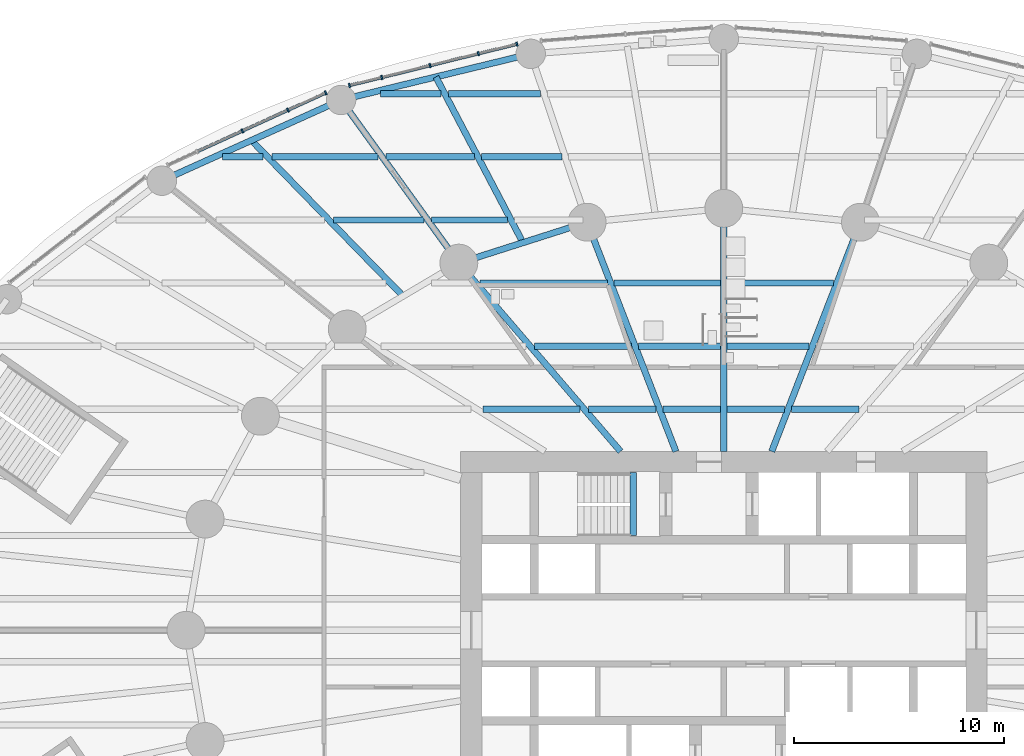
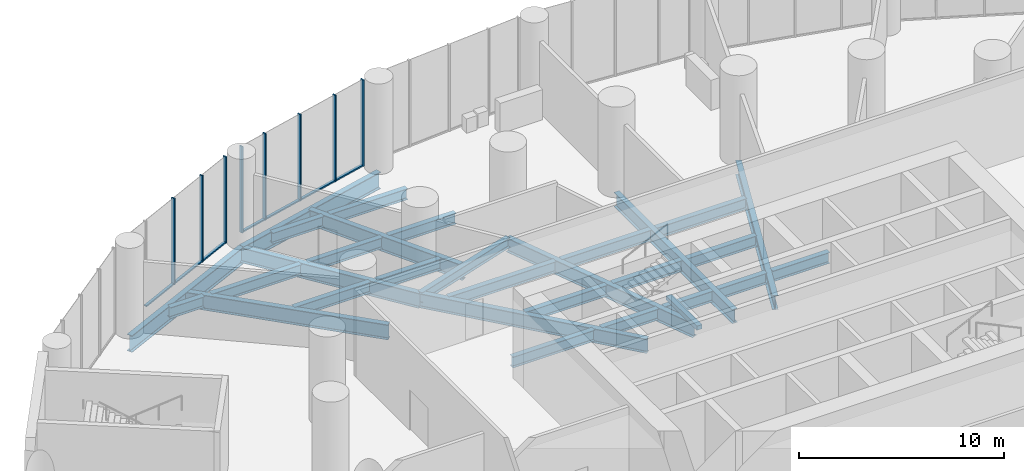
# One storey, part 8 of 23: 30 beams, 15 members, 2 elements without a shape of their own.
"""IFC4 building model written with IfcOpenShell, lengths in metres."""

from ifc_helpers import new_model, si_unit, direction, frame, origin, origin_2d, place, context, subcontext, project, spatial, rectangle, i_section, extrude, material, material_profile, profile_set, type_object, element, aggregate, save


model = new_model("IFC4")

# Units and contexts
model_context = context("Model", 3, precision=1e-05, world=origin(), true_north=direction((0.0, 1.0)))
body_context = subcontext(model_context, "Body", "Model", "MODEL_VIEW")
ifc_project = project(units=[si_unit("LENGTHUNIT", "METRE"), si_unit("AREAUNIT", "SQUARE_METRE"), si_unit("VOLUMEUNIT", "CUBIC_METRE"), si_unit("PLANEANGLEUNIT", "RADIAN"), si_unit("MASSUNIT", "GRAM", prefix="KILO")], contexts=[model_context])

# Site, building, storey
site_placement = place(None, origin())
site = spatial("IfcSite", under=ifc_project, at=site_placement, CompositionType="ELEMENT")
building_placement = place(site_placement, origin())
building = spatial("IfcBuilding", under=site, at=building_placement, Name="Hankou Lantern Tower", CompositionType="ELEMENT")
storey_placement = place(building_placement, frame((0.0, 0.0, 19.199951171875)))
storey = spatial("IfcBuildingStorey", under=building, at=storey_placement, Name="L03", CompositionType="ELEMENT", Elevation=19.199951171875)

# Beams
ifc_material_1 = material(Name="Steel Q355B", Category="steel")
ifc_material_profile_1 = material_profile(ifc_material_1, i_section(OverallWidth=0.300048828125, OverallDepth=0.587890625, WebThickness=0.011962890625, FlangeThickness=0.02001953125, FilletRadius=0.01806640625, at=origin_2d()), Name="HM588x300x12x20")
ifc_profile_set_1 = profile_set([ifc_material_profile_1], Name="Steel Q355B")
beam_type_1 = type_object("IfcBeamType", Name="EB16 RING BEAM HM588x300x12x20", PredefinedType="SPANDREL", material=ifc_profile_set_1)
beam_1_placement = place(storey_placement, frame((-6.494873046875, 19.391357421875, -0.5439453125), z_axis=(-0.952690479428, -0.303942182671, 0.0), x_axis=(0.303942182671, -0.952690479428, 0.0)))
element("IfcBeam", 1, at=beam_1_placement, inside=storey, type_object=beam_type_1, Name="Ring beam R08-R09 L03", PredefinedType="SPANDREL", context=body_context, shape_type="SweptSolid", body=[
    extrude(i_section(OverallWidth=0.300048828125, OverallDepth=0.587890625, WebThickness=0.011962890625, FlangeThickness=0.02001953125, FilletRadius=0.01806640625, at=origin_2d()), origin(), (0.0, 0.0, 1.0), 6.398681640625),
])
ifc_material_2 = material(Name="Concrete C40", Category="concrete")
ifc_material_profile_2 = material_profile(ifc_material_2, rectangle(XDim=0.300048828125, YDim=0.25, at=origin_2d()), Name="RC 300x250")
ifc_profile_set_2 = profile_set([ifc_material_profile_2], Name="Concrete C40")
beam_type_2 = type_object("IfcBeamType", Name="LB1 STAIR LANDING BEAM RC 300x250", PredefinedType="BEAM", material=ifc_profile_set_2)
beam_2_placement = place(storey_placement, frame((-4.300048828125, 4.5, 2.574951171875), z_axis=(0.0, 1.0, 0.0), x_axis=(-1.0, 0.0, 0.0)))
element("IfcBeam", 2, at=beam_2_placement, inside=storey, type_object=beam_type_2, Name="Stair STA landing beam L03", PredefinedType="BEAM", context=body_context, shape_type="SweptSolid", body=[
    extrude(rectangle(XDim=0.300048828125, YDim=0.25, at=origin_2d()), origin(), (0.0, 0.0, 1.0), 3.0),
])

# Curtain wall, members
ifc_material_3 = material(Name="Glass, dark grey tinted laminated", Category="glass")
curtain_wall_type = type_object("IfcCurtainWallType", Name="CWP PODIUM CURTAIN WALL", PredefinedType="USERDEFINED", material=ifc_material_3)
curtain_wall_1_placement = place(storey_placement, origin())
curtain_wall_1 = element("IfcCurtainWall", 3, at=curtain_wall_1_placement, inside=storey, type_object=curtain_wall_type, Name="CWP L03 PC06", ObjectType="PODIUM GLAZING", PredefinedType="USERDEFINED")
ifc_material_4 = material(Name="Aluminium, black anodised", Category="aluminium")
ifc_material_profile_3 = material_profile(ifc_material_4, rectangle(XDim=0.080078125, YDim=0.199951171875, at=origin_2d()), Name="MU2 80X200")
ifc_profile_set_3 = profile_set([ifc_material_profile_3], Name="Aluminium, black anodised")
member_type_1 = type_object("IfcMemberType", Name="MU2 PODIUM MULLION 80X200", PredefinedType="MULLION", material=ifc_profile_set_3)
member_1_placement = place(storey_placement, frame((-9.83056640625, 27.852294921875, 0.0), z_axis=(0.0, 0.0, 1.0), x_axis=(-0.970960955091, -0.239238006364, 0.0)))
member_1 = element("IfcMember", 4, at=member_1_placement, type_object=member_type_1, Name="CWP mullion 1", PredefinedType="MULLION", context=body_context, shape_type="SweptSolid", body=[
    extrude(rectangle(XDim=0.080078125, YDim=0.199951171875, at=origin_2d()), origin(), (0.0, 0.0, 1.0), 5.150146484375),
])
member_2_placement = place(storey_placement, frame((-11.662841796875, 27.40087890625, 0.0), z_axis=(0.0, 0.0, 1.0), x_axis=(-0.970960955091, -0.239238006364, 0.0)))
member_2 = element("IfcMember", 5, at=member_2_placement, type_object=member_type_1, Name="CWP mullion 2", PredefinedType="MULLION", context=body_context, shape_type="SweptSolid", body=[
    extrude(rectangle(XDim=0.080078125, YDim=0.199951171875, at=origin_2d()), origin(), (0.0, 0.0, 1.0), 5.150146484375),
])
member_3_placement = place(storey_placement, frame((-13.95849609375, 26.835205078125, 0.0), z_axis=(0.0, 0.0, 1.0), x_axis=(-0.970960955091, -0.239238006364, 0.0)))
member_3 = element("IfcMember", 6, at=member_3_placement, type_object=member_type_1, Name="CWP mullion 3", PredefinedType="MULLION", context=body_context, shape_type="SweptSolid", body=[
    extrude(rectangle(XDim=0.080078125, YDim=0.199951171875, at=origin_2d()), origin(), (0.0, 0.0, 1.0), 5.150146484375),
])
member_4_placement = place(storey_placement, frame((-16.25439453125, 26.26953125, 0.0), z_axis=(0.0, 0.0, 1.0), x_axis=(-0.970960955091, -0.239238006364, 0.0)))
member_4 = element("IfcMember", 7, at=member_4_placement, type_object=member_type_1, Name="CWP mullion 4", PredefinedType="MULLION", context=body_context, shape_type="SweptSolid", body=[
    extrude(rectangle(XDim=0.080078125, YDim=0.199951171875, at=origin_2d()), origin(), (0.0, 0.0, 1.0), 5.150146484375),
])
member_5_placement = place(storey_placement, frame((-17.785888671875, 25.892333984375, 0.0), z_axis=(0.0, 0.0, 1.0), x_axis=(-0.970960955091, -0.239238006364, 0.0)))
member_5 = element("IfcMember", 8, at=member_5_placement, type_object=member_type_1, Name="CWP mullion 5", PredefinedType="MULLION", context=body_context, shape_type="SweptSolid", body=[
    extrude(rectangle(XDim=0.080078125, YDim=0.199951171875, at=origin_2d()), origin(), (0.0, 0.0, 1.0), 5.150146484375),
])

curtain_wall_2_placement = place(storey_placement, origin())
curtain_wall_2 = element("IfcCurtainWall", 9, at=curtain_wall_2_placement, inside=storey, type_object=curtain_wall_type, Name="CWP L03 PC07", ObjectType="PODIUM GLAZING", PredefinedType="USERDEFINED")
member_6_placement = place(storey_placement, frame((-18.913818359375, 25.537841796875, 0.0), z_axis=(0.0, 0.0, 1.0), x_axis=(-0.909669790944, -0.41533224224, 0.0)))
member_6 = element("IfcMember", 10, at=member_6_placement, type_object=member_type_1, Name="CWP mullion 1", PredefinedType="MULLION", context=body_context, shape_type="SweptSolid", body=[
    extrude(rectangle(XDim=0.080078125, YDim=0.199951171875, at=origin_2d()), origin(), (0.0, 0.0, 1.0), 5.150146484375),
])
member_7_placement = place(storey_placement, frame((-20.711669921875, 24.717041015625, 0.0), z_axis=(0.0, 0.0, 1.0), x_axis=(-0.909669790944, -0.41533224224, 0.0)))
member_7 = element("IfcMember", 11, at=member_7_placement, type_object=member_type_1, Name="CWP mullion 2", PredefinedType="MULLION", context=body_context, shape_type="SweptSolid", body=[
    extrude(rectangle(XDim=0.080078125, YDim=0.199951171875, at=origin_2d()), origin(), (0.0, 0.0, 1.0), 5.150146484375),
])
member_8_placement = place(storey_placement, frame((-22.873046875, 23.730224609375, 0.0), z_axis=(0.0, 0.0, 1.0), x_axis=(-0.909669790944, -0.41533224224, 0.0)))
member_8 = element("IfcMember", 12, at=member_8_placement, type_object=member_type_1, Name="CWP mullion 3", PredefinedType="MULLION", context=body_context, shape_type="SweptSolid", body=[
    extrude(rectangle(XDim=0.080078125, YDim=0.199951171875, at=origin_2d()), origin(), (0.0, 0.0, 1.0), 5.150146484375),
])

# Beams
ifc_material_5 = material(Name="Steel Q355B", Category="steel")
ifc_material_profile_4 = material_profile(ifc_material_5, i_section(OverallWidth=0.300048828125, OverallDepth=0.89990234375, WebThickness=0.01611328125, FlangeThickness=0.028076171875, FilletRadius=0.01806640625, at=origin_2d()), Name="HN900x300x16x28")
ifc_profile_set_4 = profile_set([ifc_material_profile_4], Name="Steel Q355B")
beam_type_3 = type_object("IfcBeamType", Name="PB13 PODIUM RADIAL BEAM HN900x300x16x28", PredefinedType="BEAM", material=ifc_profile_set_4)
beam_3_placement = place(storey_placement, frame((-12.5908203125, 17.446533203125, -0.699951171875), z_axis=(-0.585207097055, 0.810883871807, 0.0), x_axis=(-0.810883871807, -0.585207097055, 0.0)))
element("IfcBeam", 13, at=beam_3_placement, inside=storey, type_object=beam_type_3, Name="Podium radial beam R09 L03", PredefinedType="BEAM", context=body_context, shape_type="SweptSolid", body=[
    extrude(i_section(OverallWidth=0.300048828125, OverallDepth=0.89990234375, WebThickness=0.01611328125, FlangeThickness=0.028076171875, FilletRadius=0.01806640625, at=origin_2d()), origin(), (0.0, 0.0, 1.0), 9.56103515625),
])
ifc_material_6 = material(Name="Steel Q355B", Category="steel")
ifc_material_profile_5 = material_profile(ifc_material_6, i_section(OverallWidth=0.300048828125, OverallDepth=1.0, WebThickness=0.01904296875, FlangeThickness=0.035888671875, FilletRadius=0.01806640625, at=origin_2d()), Name="HN1000x300x19x36")
ifc_profile_set_5 = profile_set([ifc_material_profile_5], Name="Steel Q355B")
beam_type_4 = type_object("IfcBeamType", Name="PR22 PODIUM RING BEAM HN1000x300x19x36", PredefinedType="BEAM", material=ifc_profile_set_5)
beam_4_placement = place(storey_placement, frame((-9.17431640625, 27.39111328125, -0.75), z_axis=(-0.971677242441, -0.23631194748, 0.0), x_axis=(0.23631194748, -0.971677242441, 0.0)))
element("IfcBeam", 14, at=beam_4_placement, inside=storey, type_object=beam_type_4, Name="Podium ring beam R08-R09 L03", PredefinedType="BEAM", context=body_context, shape_type="SweptSolid", body=[
    extrude(i_section(OverallWidth=0.300048828125, OverallDepth=1.0, WebThickness=0.01904296875, FlangeThickness=0.035888671875, FilletRadius=0.01806640625, at=origin_2d()), origin(), (0.0, 0.0, 1.0), 9.2744140625),
])
beam_5_placement = place(storey_placement, frame((-18.18603515625, 25.199462890625, -0.75), z_axis=(-0.911695429723, -0.410866697874, 0.0), x_axis=(0.410866697874, -0.911695429723, 0.0)))
element("IfcBeam", 15, at=beam_5_placement, inside=storey, type_object=beam_type_4, Name="Podium ring beam R09-R10 L03", PredefinedType="BEAM", context=body_context, shape_type="SweptSolid", body=[
    extrude(i_section(OverallWidth=0.300048828125, OverallDepth=1.0, WebThickness=0.01904296875, FlangeThickness=0.035888671875, FilletRadius=0.01806640625, at=origin_2d()), origin(), (0.0, 0.0, 1.0), 9.341064453125),
])
ifc_material_7 = material(Name="Steel Q355B", Category="steel")
ifc_material_profile_6 = material_profile(ifc_material_7, i_section(OverallWidth=0.300048828125, OverallDepth=0.89990234375, WebThickness=0.01611328125, FlangeThickness=0.028076171875, FilletRadius=0.01806640625, at=origin_2d()), Name="HN900x300x16x28")
ifc_profile_set_6 = profile_set([ifc_material_profile_6], Name="Steel Q355B")
beam_type_5 = type_object("IfcBeamType", Name="PS13 PODIUM SECONDARY BEAM HN900x300x16x28", PredefinedType="JOIST", material=ifc_profile_set_6)
beam_6_placement = place(storey_placement, frame((-9.54296875, 18.4189453125, -0.699951171875), z_axis=(-0.465026961303, 0.88529651827, 0.0), x_axis=(-0.88529651827, -0.465026961303, 0.0)))
element("IfcBeam", 16, at=beam_6_placement, inside=storey, type_object=beam_type_5, Name="Podium secondary beam bay R08 L03", PredefinedType="JOIST", context=body_context, shape_type="SweptSolid", body=[
    extrude(i_section(OverallWidth=0.300048828125, OverallDepth=0.89990234375, WebThickness=0.01611328125, FlangeThickness=0.028076171875, FilletRadius=0.01806640625, at=origin_2d()), origin(), (0.0, 0.0, 1.0), 8.896728515625),
])
beam_7_placement = place(storey_placement, frame((-15.2412109375, 15.8798828125, -0.699951171875), z_axis=(-0.697467529957, 0.716616385981, 0.0), x_axis=(-0.716616385981, -0.697467529957, 0.0)))
element("IfcBeam", 17, at=beam_7_placement, inside=storey, type_object=beam_type_5, Name="Podium secondary beam bay R09 L03", PredefinedType="JOIST", context=body_context, shape_type="SweptSolid", body=[
    extrude(i_section(OverallWidth=0.300048828125, OverallDepth=0.89990234375, WebThickness=0.01611328125, FlangeThickness=0.028076171875, FilletRadius=0.01806640625, at=origin_2d()), origin(), (0.0, 0.0, 1.0), 10.3271484375),
])
ifc_material_8 = material(Name="Steel Q355B", Category="steel")
ifc_material_profile_7 = material_profile(ifc_material_8, i_section(OverallWidth=0.300048828125, OverallDepth=0.85009765625, WebThickness=0.01611328125, FlangeThickness=0.027099609375, FilletRadius=0.01806640625, at=origin_2d()), Name="HN850x300x16x27")
ifc_profile_set_7 = profile_set([ifc_material_profile_7], Name="Steel Q355B")
beam_type_6 = type_object("IfcBeamType", Name="RB12 RADIAL BEAM HN850x300x16x27", PredefinedType="BEAM", material=ifc_profile_set_7)
beam_8_placement = place(storey_placement, frame((2.277587890625, 8.5, -0.675048828125), z_axis=(0.361089103374, 0.932531318201, 0.0), x_axis=(-0.932531318201, 0.361089103374, 0.0)))
element("IfcBeam", 18, at=beam_8_placement, inside=storey, type_object=beam_type_6, Name="Radial beam R06 L03", PredefinedType="BEAM", context=body_context, shape_type="SweptSolid", body=[
    extrude(i_section(OverallWidth=0.300048828125, OverallDepth=0.85009765625, WebThickness=0.01611328125, FlangeThickness=0.027099609375, FilletRadius=0.01806640625, at=origin_2d()), origin(), (0.0, 0.0, 1.0), 11.679443359375),
])
beam_9_placement = place(storey_placement, frame((0.0, 8.5, -0.675048828125), z_axis=(0.0, 1.0, 0.0), x_axis=(-1.0, 0.0, 0.0)))
element("IfcBeam", 19, at=beam_9_placement, inside=storey, type_object=beam_type_6, Name="Radial beam R07 L03", PredefinedType="BEAM", context=body_context, shape_type="SweptSolid", body=[
    extrude(i_section(OverallWidth=0.300048828125, OverallDepth=0.85009765625, WebThickness=0.01611328125, FlangeThickness=0.027099609375, FilletRadius=0.01806640625, at=origin_2d()), origin(), (0.0, 0.0, 1.0), 11.550048828125),
])
beam_10_placement = place(storey_placement, frame((-2.277587890625, 8.5, -0.675048828125), z_axis=(-0.361089103374, 0.932531318201, 0.0), x_axis=(-0.932531318201, -0.361089103374, 0.0)))
element("IfcBeam", 20, at=beam_10_placement, inside=storey, type_object=beam_type_6, Name="Radial beam R08 L03", PredefinedType="BEAM", context=body_context, shape_type="SweptSolid", body=[
    extrude(i_section(OverallWidth=0.300048828125, OverallDepth=0.85009765625, WebThickness=0.01611328125, FlangeThickness=0.027099609375, FilletRadius=0.01806640625, at=origin_2d()), origin(), (0.0, 0.0, 1.0), 11.679443359375),
])
beam_11_placement = place(storey_placement, frame((-4.907470703125, 8.5, -0.675048828125), z_axis=(-0.651519061225, 0.758632264579, 0.0), x_axis=(-0.758632264579, -0.651519061225, 0.0)))
element("IfcBeam", 21, at=beam_11_placement, inside=storey, type_object=beam_type_6, Name="Radial beam R09 L03", PredefinedType="BEAM", context=body_context, shape_type="SweptSolid", body=[
    extrude(i_section(OverallWidth=0.300048828125, OverallDepth=0.85009765625, WebThickness=0.01611328125, FlangeThickness=0.027099609375, FilletRadius=0.01806640625, at=origin_2d()), origin(), (0.0, 0.0, 1.0), 11.79296875),
])
ifc_material_9 = material(Name="Steel Q355B", Category="steel")
ifc_material_profile_8 = material_profile(ifc_material_9, i_section(OverallWidth=0.300048828125, OverallDepth=0.64990234375, WebThickness=0.010986328125, FlangeThickness=0.01708984375, FilletRadius=0.01806640625, at=origin_2d()), Name="HN650x300x11x17")
ifc_profile_set_8 = profile_set([ifc_material_profile_8], Name="Steel Q355B")
beam_type_7 = type_object("IfcBeamType", Name="SB8 SECONDARY BEAM HN650x300x11x17", PredefinedType="JOIST", material=ifc_profile_set_8)
beam_12_placement = place(storey_placement, frame((-11.446044921875, 10.5, -0.574951171875), z_axis=(1.0, 0.0, 0.0), x_axis=(0.0, 1.0, 0.0)))
element("IfcBeam", 22, at=beam_12_placement, inside=storey, type_object=beam_type_7, Name="Floor joist J103 L03", PredefinedType="JOIST", context=body_context, shape_type="SweptSolid", body=[
    extrude(i_section(OverallWidth=0.300048828125, OverallDepth=0.64990234375, WebThickness=0.010986328125, FlangeThickness=0.01708984375, FilletRadius=0.01806640625, at=origin_2d()), origin(), (0.0, 0.0, 1.0), 4.623291015625),
])
beam_13_placement = place(storey_placement, frame((-6.427490234375, 10.5, -0.574951171875), z_axis=(1.0, 0.0, 0.0), x_axis=(0.0, 1.0, 0.0)))
element("IfcBeam", 23, at=beam_13_placement, inside=storey, type_object=beam_type_7, Name="Floor joist J104 L03", PredefinedType="JOIST", context=body_context, shape_type="SweptSolid", body=[
    extrude(i_section(OverallWidth=0.300048828125, OverallDepth=0.64990234375, WebThickness=0.010986328125, FlangeThickness=0.01708984375, FilletRadius=0.01806640625, at=origin_2d()), origin(), (0.0, 0.0, 1.0), 3.214599609375),
])
for number, where, z_axis, x_axis, name in (
    (24, (-2.89111328125, 10.5, -0.574951171875), (1.0, 0.0, 0.0), (0.0, 1.0, 0.0), "Floor joist J105 L03"),
    (25, (0.14990234375, 10.5, -0.574951171875), (1.0, 0.0, 0.0), (0.0, 1.0, 0.0), "Floor joist J106 L03"),
):
    element("IfcBeam", number, at=place(storey_placement, frame(where, z_axis=z_axis, x_axis=x_axis)), inside=storey, type_object=beam_type_7, Name=name, PredefinedType="JOIST", context=body_context, shape_type="SweptSolid", body=[
        extrude(i_section(OverallWidth=0.300048828125, OverallDepth=0.64990234375, WebThickness=0.010986328125, FlangeThickness=0.01708984375, FilletRadius=0.01806640625, at=origin_2d()), origin(), (0.0, 0.0, 1.0), 2.7412109375),
    ])
beam_14_placement = place(storey_placement, frame((3.212890625, 10.5, -0.574951171875), z_axis=(1.0, 0.0, 0.0), x_axis=(0.0, 1.0, 0.0)))
element("IfcBeam", 26, at=beam_14_placement, inside=storey, type_object=beam_type_7, Name="Floor joist J107 L03", PredefinedType="JOIST", context=body_context, shape_type="SweptSolid", body=[
    extrude(i_section(OverallWidth=0.300048828125, OverallDepth=0.64990234375, WebThickness=0.010986328125, FlangeThickness=0.01708984375, FilletRadius=0.01806640625, at=origin_2d()), origin(), (0.0, 0.0, 1.0), 3.214599609375),
])
beam_15_placement = place(storey_placement, frame((-9.00390625, 13.5, -0.574951171875), z_axis=(1.0, 0.0, 0.0), x_axis=(0.0, 1.0, 0.0)))
element("IfcBeam", 27, at=beam_15_placement, inside=storey, type_object=beam_type_7, Name="Floor joist J116 L03", PredefinedType="JOIST", context=body_context, shape_type="SweptSolid", body=[
    extrude(i_section(OverallWidth=0.300048828125, OverallDepth=0.64990234375, WebThickness=0.010986328125, FlangeThickness=0.01708984375, FilletRadius=0.01806640625, at=origin_2d()), origin(), (0.0, 0.0, 1.0), 4.62939453125),
])
for number, where, z_axis, x_axis, name in (
    (28, (-4.052734375, 13.5, -0.574951171875), (1.0, 0.0, 0.0), (0.0, 1.0, 0.0), "Floor joist J117 L03"),
    (29, (0.14990234375, 13.5, -0.574951171875), (1.0, 0.0, 0.0), (0.0, 1.0, 0.0), "Floor joist J118 L03"),
):
    element("IfcBeam", number, at=place(storey_placement, frame(where, z_axis=z_axis, x_axis=x_axis)), inside=storey, type_object=beam_type_7, Name=name, PredefinedType="JOIST", context=body_context, shape_type="SweptSolid", body=[
        extrude(i_section(OverallWidth=0.300048828125, OverallDepth=0.64990234375, WebThickness=0.010986328125, FlangeThickness=0.01708984375, FilletRadius=0.01806640625, at=origin_2d()), origin(), (0.0, 0.0, 1.0), 3.90283203125),
    ])
beam_16_placement = place(storey_placement, frame((-11.580322265625, 16.5, -0.574951171875), z_axis=(1.0, 0.0, 0.0), x_axis=(0.0, 1.0, 0.0)))
element("IfcBeam", 30, at=beam_16_placement, inside=storey, type_object=beam_type_7, Name="Floor joist J129 L03", PredefinedType="JOIST", context=body_context, shape_type="SweptSolid", body=[
    extrude(i_section(OverallWidth=0.300048828125, OverallDepth=0.64990234375, WebThickness=0.010986328125, FlangeThickness=0.01708984375, FilletRadius=0.01806640625, at=origin_2d()), origin(), (0.0, 0.0, 1.0), 6.044189453125),
])
for number, where, z_axis, x_axis, name in (
    (31, (-5.21435546875, 16.5, -0.574951171875), (1.0, 0.0, 0.0), (0.0, 1.0, 0.0), "Floor joist J130 L03"),
    (32, (0.14990234375, 16.5, -0.574951171875), (1.0, 0.0, 0.0), (0.0, 1.0, 0.0), "Floor joist J131 L03"),
):
    element("IfcBeam", number, at=place(storey_placement, frame(where, z_axis=z_axis, x_axis=x_axis)), inside=storey, type_object=beam_type_7, Name=name, PredefinedType="JOIST", context=body_context, shape_type="SweptSolid", body=[
        extrude(i_section(OverallWidth=0.300048828125, OverallDepth=0.64990234375, WebThickness=0.010986328125, FlangeThickness=0.01708984375, FilletRadius=0.01806640625, at=origin_2d()), origin(), (0.0, 0.0, 1.0), 5.064453125),
    ])
beam_17_placement = place(storey_placement, frame((-18.55517578125, 19.5, -0.574951171875), z_axis=(1.0, 0.0, 0.0), x_axis=(0.0, 1.0, 0.0)))
element("IfcBeam", 33, at=beam_17_placement, inside=storey, type_object=beam_type_7, Name="Floor joist J139 L03", PredefinedType="JOIST", context=body_context, shape_type="SweptSolid", body=[
    extrude(i_section(OverallWidth=0.300048828125, OverallDepth=0.64990234375, WebThickness=0.010986328125, FlangeThickness=0.01708984375, FilletRadius=0.01806640625, at=origin_2d()), origin(), (0.0, 0.0, 1.0), 4.29736328125),
])
beam_18_placement = place(storey_placement, frame((-13.887939453125, 19.5, -0.574951171875), z_axis=(1.0, 0.0, 0.0), x_axis=(0.0, 1.0, 0.0)))
element("IfcBeam", 34, at=beam_18_placement, inside=storey, type_object=beam_type_7, Name="Floor joist J140 L03", PredefinedType="JOIST", context=body_context, shape_type="SweptSolid", body=[
    extrude(i_section(OverallWidth=0.300048828125, OverallDepth=0.64990234375, WebThickness=0.010986328125, FlangeThickness=0.01708984375, FilletRadius=0.01806640625, at=origin_2d()), origin(), (0.0, 0.0, 1.0), 3.607666015625),
])
beam_19_placement = place(storey_placement, frame((-23.81103515625, 22.5, -0.574951171875), z_axis=(1.0, 0.0, 0.0), x_axis=(0.0, 1.0, 0.0)))
element("IfcBeam", 35, at=beam_19_placement, inside=storey, type_object=beam_type_7, Name="Floor joist J149 L03", PredefinedType="JOIST", context=body_context, shape_type="SweptSolid", body=[
    extrude(i_section(OverallWidth=0.300048828125, OverallDepth=0.64990234375, WebThickness=0.010986328125, FlangeThickness=0.01708984375, FilletRadius=0.01806640625, at=origin_2d()), origin(), (0.0, 0.0, 1.0), 1.917236328125),
])
beam_20_placement = place(storey_placement, frame((-21.47509765625, 22.5, -0.574951171875), z_axis=(1.0, 0.0, 0.0), x_axis=(0.0, 1.0, 0.0)))
element("IfcBeam", 36, at=beam_20_placement, inside=storey, type_object=beam_type_7, Name="Floor joist J150 L03", PredefinedType="JOIST", context=body_context, shape_type="SweptSolid", body=[
    extrude(i_section(OverallWidth=0.300048828125, OverallDepth=0.64990234375, WebThickness=0.010986328125, FlangeThickness=0.01708984375, FilletRadius=0.01806640625, at=origin_2d()), origin(), (0.0, 0.0, 1.0), 5.052001953125),
])
beam_21_placement = place(storey_placement, frame((-16.052978515625, 22.5, -0.574951171875), z_axis=(1.0, 0.0, 0.0), x_axis=(0.0, 1.0, 0.0)))
element("IfcBeam", 37, at=beam_21_placement, inside=storey, type_object=beam_type_7, Name="Floor joist J151 L03", PredefinedType="JOIST", context=body_context, shape_type="SweptSolid", body=[
    extrude(i_section(OverallWidth=0.300048828125, OverallDepth=0.64990234375, WebThickness=0.010986328125, FlangeThickness=0.01708984375, FilletRadius=0.01806640625, at=origin_2d()), origin(), (0.0, 0.0, 1.0), 4.197021484375),
])
beam_22_placement = place(storey_placement, frame((-11.51708984375, 22.5, -0.574951171875), z_axis=(1.0, 0.0, 0.0), x_axis=(0.0, 1.0, 0.0)))
element("IfcBeam", 38, at=beam_22_placement, inside=storey, type_object=beam_type_7, Name="Floor joist J152 L03", PredefinedType="JOIST", context=body_context, shape_type="SweptSolid", body=[
    extrude(i_section(OverallWidth=0.300048828125, OverallDepth=0.64990234375, WebThickness=0.010986328125, FlangeThickness=0.01708984375, FilletRadius=0.01806640625, at=origin_2d()), origin(), (0.0, 0.0, 1.0), 3.82275390625),
])
beam_23_placement = place(storey_placement, frame((-16.3154296875, 25.5, -0.574951171875), z_axis=(1.0, 0.0, 0.0), x_axis=(0.0, 1.0, 0.0)))
element("IfcBeam", 39, at=beam_23_placement, inside=storey, type_object=beam_type_7, Name="Floor joist J161 L03", PredefinedType="JOIST", context=body_context, shape_type="SweptSolid", body=[
    extrude(i_section(OverallWidth=0.300048828125, OverallDepth=0.64990234375, WebThickness=0.010986328125, FlangeThickness=0.01708984375, FilletRadius=0.01806640625, at=origin_2d()), origin(), (0.0, 0.0, 1.0), 2.883544921875),
])
beam_24_placement = place(storey_placement, frame((-13.093017578125, 25.5, -0.574951171875), z_axis=(1.0, 0.0, 0.0), x_axis=(0.0, 1.0, 0.0)))
element("IfcBeam", 40, at=beam_24_placement, inside=storey, type_object=beam_type_7, Name="Floor joist J162 L03", PredefinedType="JOIST", context=body_context, shape_type="SweptSolid", body=[
    extrude(i_section(OverallWidth=0.300048828125, OverallDepth=0.64990234375, WebThickness=0.010986328125, FlangeThickness=0.01708984375, FilletRadius=0.01806640625, at=origin_2d()), origin(), (0.0, 0.0, 1.0), 4.39404296875),
])

# Member
ifc_material_10 = material(Name="Aluminium, black anodised", Category="aluminium")
ifc_material_profile_9 = material_profile(ifc_material_10, rectangle(XDim=0.14990234375, YDim=0.080078125, at=origin_2d()), Name="TR2 150X80")
ifc_profile_set_9 = profile_set([ifc_material_profile_9], Name="Aluminium, black anodised")
member_type_2 = type_object("IfcMemberType", Name="TR2 PODIUM TRANSOM 150X80", PredefinedType="USERDEFINED", material=ifc_profile_set_9)
member_9_placement = place(storey_placement, frame((-9.869384765625, 27.8427734375, 0.0400390625), z_axis=(-0.970955515261, -0.23926008314, 0.0), x_axis=(0.23926008314, -0.970955515261, 0.0)))
member_9 = element("IfcMember", 41, at=member_9_placement, type_object=member_type_2, Name="CWP transom 1", ObjectType="TRANSOM", PredefinedType="USERDEFINED", context=body_context, shape_type="SweptSolid", body=[
    extrude(rectangle(XDim=0.14990234375, YDim=0.080078125, at=origin_2d()), origin(), (0.0, 0.0, 1.0), 1.80712890625),
])

member_10_placement = place(storey_placement, frame((-11.70166015625, 27.391357421875, 0.0400390625), z_axis=(-0.970948059845, -0.239290336378, 0.0), x_axis=(0.239290336378, -0.970948059845, 0.0)))
member_10 = element("IfcMember", 42, at=member_10_placement, type_object=member_type_2, Name="CWP transom 2", ObjectType="TRANSOM", PredefinedType="USERDEFINED", context=body_context, shape_type="SweptSolid", body=[
    extrude(rectangle(XDim=0.14990234375, YDim=0.080078125, at=origin_2d()), origin(), (0.0, 0.0, 1.0), 2.284423828125),
])

member_11_placement = place(storey_placement, frame((-13.99755859375, 26.82568359375, 0.0400390625), z_axis=(-0.970948059845, -0.239290336378, 0.0), x_axis=(0.239290336378, -0.970948059845, 0.0)))
member_11 = element("IfcMember", 43, at=member_11_placement, type_object=member_type_2, Name="CWP transom 3", ObjectType="TRANSOM", PredefinedType="USERDEFINED", context=body_context, shape_type="SweptSolid", body=[
    extrude(rectangle(XDim=0.14990234375, YDim=0.080078125, at=origin_2d()), origin(), (0.0, 0.0, 1.0), 2.284423828125),
])

member_12_placement = place(storey_placement, frame((-16.293212890625, 26.260009765625, 0.0400390625), z_axis=(-0.970971197991, -0.239196431142, 0.0), x_axis=(0.239196431142, -0.970971197991, 0.0)))
member_12 = element("IfcMember", 44, at=member_12_placement, type_object=member_type_2, Name="CWP transom 4", ObjectType="TRANSOM", PredefinedType="USERDEFINED", context=body_context, shape_type="SweptSolid", body=[
    extrude(rectangle(XDim=0.14990234375, YDim=0.080078125, at=origin_2d()), origin(), (0.0, 0.0, 1.0), 1.497314453125),
])

aggregate(curtain_wall_1, [member_1, member_2, member_3, member_4, member_5, member_9, member_10, member_11, member_12])

member_13_placement = place(storey_placement, frame((-18.9501953125, 25.521240234375, 0.0400390625), z_axis=(-0.909677430468, -0.41531550958, 0.0), x_axis=(0.41531550958, -0.909677430468, 0.0)))
member_13 = element("IfcMember", 45, at=member_13_placement, type_object=member_type_2, Name="CWP transom 1", ObjectType="TRANSOM", PredefinedType="USERDEFINED", context=body_context, shape_type="SweptSolid", body=[
    extrude(rectangle(XDim=0.14990234375, YDim=0.080078125, at=origin_2d()), origin(), (0.0, 0.0, 1.0), 1.896484375),
])

member_14_placement = place(storey_placement, frame((-20.748046875, 24.700439453125, 0.0400390625), z_axis=(-0.909669664149, -0.415332519949, 0.0), x_axis=(0.415332519949, -0.909669664149, 0.0)))
member_14 = element("IfcMember", 46, at=member_14_placement, type_object=member_type_2, Name="CWP transom 2", ObjectType="TRANSOM", PredefinedType="USERDEFINED", context=body_context, shape_type="SweptSolid", body=[
    extrude(rectangle(XDim=0.14990234375, YDim=0.080078125, at=origin_2d()), origin(), (0.0, 0.0, 1.0), 2.296142578125),
])

member_15_placement = place(storey_placement, frame((-22.909423828125, 23.713623046875, 0.0400390625), z_axis=(-0.909669664149, -0.415332519949, 0.0), x_axis=(0.415332519949, -0.909669664149, 0.0)))
member_15 = element("IfcMember", 47, at=member_15_placement, type_object=member_type_2, Name="CWP transom 3", ObjectType="TRANSOM", PredefinedType="USERDEFINED", context=body_context, shape_type="SweptSolid", body=[
    extrude(rectangle(XDim=0.14990234375, YDim=0.080078125, at=origin_2d()), origin(), (0.0, 0.0, 1.0), 2.296142578125),
])

aggregate(curtain_wall_2, [member_6, member_7, member_8, member_13, member_14, member_15])

save(model, "model.ifc")
